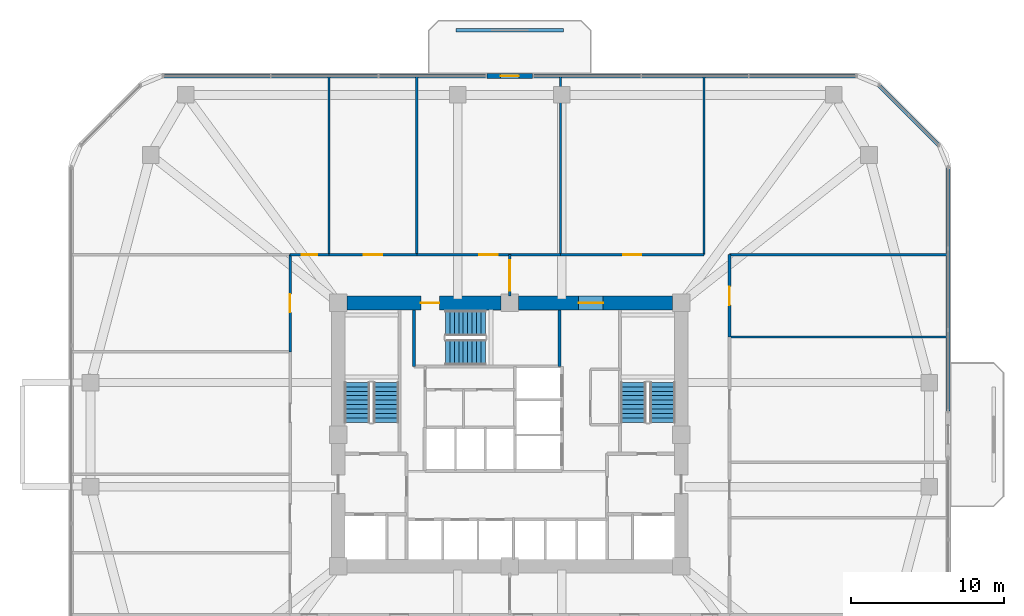
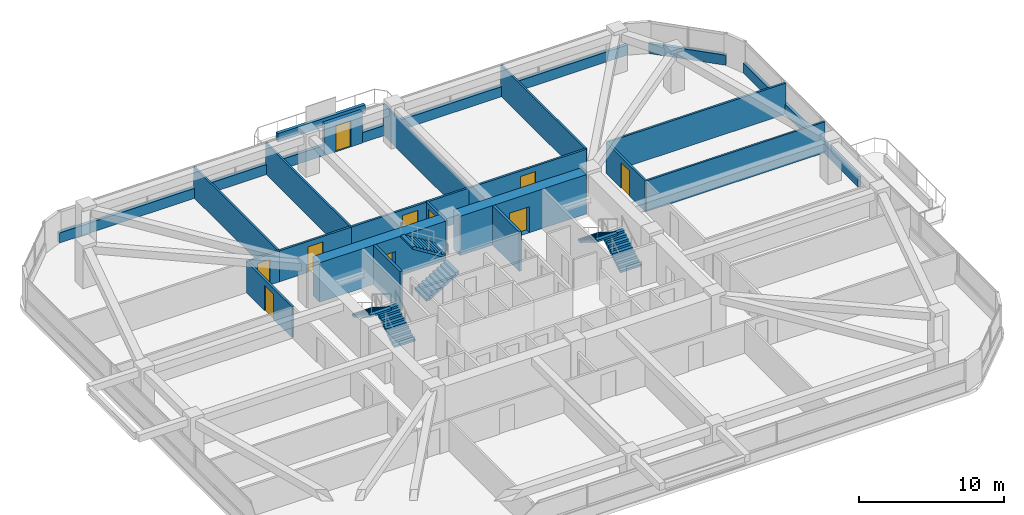
# One storey, part 11 of 13: 23 walls, 10 doors, 6 stair flights, 10 openings, 3 elements without a shape of their own.
"""IFC4 building model written with IfcOpenShell, lengths in metres."""

import ifcopenshell
import ifcopenshell.guid

model = None  # the IFC model being written
_history = None  # IfcOwnerHistory: only IFC2X3 demands one
_inside = {}  # id of a spatial element -> (the spatial element, [elements in it])
_under = {}  # id of a project, library or spatial element -> (it, [spatial elements below it])
_declared = {}  # id of a project -> (the project, [libraries it declares])
_typed = {}  # id of a type object -> (the type object, [elements of that type])
_made_of = {}  # id of a material, layer set ... -> (it, [elements and type objects made of it])


def new_model(schema):
    """Start an empty IFC model of exactly this schema.

    Asked for "IFC4X3", IfcOpenShell would pick the latest addendum, in which some entities
    have other attributes; the version numbers below select the first issue.
    IFC2X3 requires an IfcOwnerHistory on every rooted entity: one is made here for all.
    """
    global model, _history
    if schema == "IFC4X3":
        model = ifcopenshell.file(schema_version=(4, 3, 0, 0))
    else:
        model = ifcopenshell.file(schema=schema)
    _inside.clear()
    _under.clear()
    _declared.clear()
    _typed.clear()
    _made_of.clear()
    _history = None
    if model.schema == "IFC2X3":
        org = make("IfcOrganization", Name="unknown")
        user = make(
            "IfcPersonAndOrganization",
            ThePerson=make("IfcPerson", FamilyName="unknown"),
            TheOrganization=org,
        )
        app = make(
            "IfcApplication",
            ApplicationDeveloper=org,
            Version="unknown",
            ApplicationFullName="unknown",
            ApplicationIdentifier="unknown",
        )
        _history = make(
            "IfcOwnerHistory",
            OwningUser=user,
            OwningApplication=app,
            ChangeAction="ADDED",
            CreationDate=0,
        )
    return model


def make(cls, **values):
    """One entity of the class cls with the attributes given. An attribute that is None is left unset."""
    return model.create_entity(
        cls, **{name: value for name, value in values.items() if value is not None}
    )


def rooted(cls, **values):
    """An entity with a GlobalId (a new one), such as an element, a storey or a relation."""
    return make(cls, GlobalId=ifcopenshell.guid.new(), OwnerHistory=_history, **values)


def si_unit(unit_type, name, prefix=None):
    """IfcSIUnit, for example si_unit("LENGTHUNIT", "METRE", prefix="MILLI")."""
    return make("IfcSIUnit", UnitType=unit_type, Prefix=prefix, Name=name)


def derived_unit(unit_type, elements):
    """IfcDerivedUnit: a product of units, each with its exponent."""
    return make(
        "IfcDerivedUnit",
        Elements=[
            make("IfcDerivedUnitElement", Unit=unit, Exponent=power)
            for unit, power in elements
        ],
        UnitType=unit_type,
    )


def assignment(units):
    """IfcUnitAssignment: the units of a project."""
    return None if units is None else make("IfcUnitAssignment", Units=units)


def point(xyz):
    """IfcCartesianPoint."""
    return None if xyz is None else make("IfcCartesianPoint", Coordinates=xyz)


def direction(xyz):
    """IfcDirection."""
    return None if xyz is None else make("IfcDirection", DirectionRatios=xyz)


def frame(location, z_axis=None, x_axis=None):
    """IfcAxis2Placement3D, a coordinate frame: its origin and axes. An axis left out is left unset."""
    return make(
        "IfcAxis2Placement3D",
        Location=point(location),
        Axis=direction(z_axis),
        RefDirection=direction(x_axis),
    )


def frame_2d(location, x_axis=None):
    """IfcAxis2Placement2D, a coordinate frame in the plane: its origin and x axis."""
    return make(
        "IfcAxis2Placement2D", Location=point(location), RefDirection=direction(x_axis)
    )


def origin():
    """The frame at (0, 0, 0) with its axes left unset."""
    return frame((0.0, 0.0, 0.0))


def place(relative_to, where):
    """IfcLocalPlacement: puts the frame where relative to a parent placement (None: the world)."""
    return make(
        "IfcLocalPlacement", PlacementRelTo=relative_to, RelativePlacement=where
    )


def context(
    kind, dimensions, precision=None, world=None, true_north=None, identifier=None
):
    """IfcGeometricRepresentationContext, for example the 3D "Model" context."""
    return make(
        "IfcGeometricRepresentationContext",
        ContextIdentifier=identifier,
        ContextType=kind,
        CoordinateSpaceDimension=dimensions,
        Precision=precision,
        WorldCoordinateSystem=world,
        TrueNorth=true_north,
    )


def subcontext(parent, identifier, kind, view, scale=None):
    """IfcGeometricRepresentationSubContext, for example "Body" below "Model"."""
    return make(
        "IfcGeometricRepresentationSubContext",
        ContextIdentifier=identifier,
        ContextType=kind,
        ParentContext=parent,
        TargetScale=scale,
        TargetView=view,
    )


def project(units=None, contexts=None):
    """IfcProject with its units and contexts."""
    return rooted(
        "IfcProject",
        Name="project",
        RepresentationContexts=contexts,
        UnitsInContext=assignment(units),
    )


def spatial(cls, under=None, at=None, **own):
    """A site, building, storey or space (cls), placed at a placement, below another one or the project."""
    s = rooted(cls, ObjectPlacement=at, **own)
    if under is not None:
        _under.setdefault(under.id(), (under, []))[1].append(s)
    return s


def polyline(points):
    """IfcPolyline through the points."""
    return make("IfcPolyline", Points=[point(p) for p in points])


def profile(cls, at=None, kind="AREA", **sizes):
    """A parametric profile (cls). Its sizes go by their IFC names, for example OverallWidth=200.0."""
    return make(cls, ProfileType=kind, Position=at, **sizes)


def rectangle(**sizes):
    """IfcRectangleProfileDef."""
    return profile("IfcRectangleProfileDef", **sizes)


def outline(outer, holes=None, kind="AREA"):
    """IfcArbitraryClosedProfileDef: a profile drawn as a closed curve; with holes, ...WithVoids."""
    if holes is None:
        return make("IfcArbitraryClosedProfileDef", ProfileType=kind, OuterCurve=outer)
    return make(
        "IfcArbitraryProfileDefWithVoids",
        ProfileType=kind,
        OuterCurve=outer,
        InnerCurves=holes,
    )


def extrude(swept, where, along, depth):
    """IfcExtrudedAreaSolid: the profile swept, set in the frame where, extruded along a direction by depth."""
    return make(
        "IfcExtrudedAreaSolid",
        SweptArea=swept,
        Position=where,
        ExtrudedDirection=direction(along),
        Depth=depth,
    )


def shape(context_of_items, identifier, shape_type, items):
    """IfcShapeRepresentation: the items that make up one representation, for example the "Body"."""
    return make(
        "IfcShapeRepresentation",
        ContextOfItems=context_of_items,
        RepresentationIdentifier=identifier,
        RepresentationType=shape_type,
        Items=items,
    )


def material(Name=None, Category=None):
    """IfcMaterial."""
    return make("IfcMaterial", Name=Name, Category=Category)


def layer(
    of_material, thickness, ventilated=None, Name=None, Category=None, Priority=None
):
    """IfcMaterialLayer: one layer of a wall or slab, of a material (None: an air gap)."""
    return make(
        "IfcMaterialLayer",
        Material=of_material,
        LayerThickness=thickness,
        IsVentilated=ventilated,
        Name=Name,
        Category=Category,
        Priority=Priority,
    )


def layer_set(layers, Name=None):
    """IfcMaterialLayerSet."""
    return make("IfcMaterialLayerSet", MaterialLayers=layers, LayerSetName=Name)


def made_of(thing, what):
    """Note that an element or type object is made of a material, layer set ...; save() writes the relation."""
    if what is not None:
        _made_of.setdefault(what.id(), (what, []))[1].append(thing)
    return thing


def type_object(cls, material=None, **own):
    """A type object (cls), such as IfcWallType, which elements share."""
    return made_of(rooted(cls, **own), material)


def element(
    cls,
    number,
    at=None,
    inside=None,
    cuts=None,
    type_object=None,
    material=None,
    context=None,
    identifier="Body",
    shape_type=None,
    held_by="IfcProductDefinitionShape",
    body=None,
    shapes=None,
    **own,
):
    """One element of the class cls, such as IfcWall. Its Tag is "e" and its number.

    at: its placement. inside: the storey or other place that contains it. cuts: it is an
    opening in that element (IfcRelVoidsElement). A single representation is given by context,
    identifier, shape_type and body (its items); several are given by shapes. held_by: the class
    of the entity that holds the representations. save() writes the other relations.
    """
    e = rooted(cls, Tag="e%d" % number, ObjectPlacement=at, **own)
    if body is not None:
        shapes = [shape(context, identifier, shape_type, body)]
    if shapes is not None:
        e.Representation = make(held_by, Representations=shapes)
    if inside is not None:
        _inside.setdefault(inside.id(), (inside, []))[1].append(e)
    if cuts is not None:
        rooted(
            "IfcRelVoidsElement", RelatingBuildingElement=cuts, RelatedOpeningElement=e
        )
    if type_object is not None:
        _typed.setdefault(type_object.id(), (type_object, []))[1].append(e)
    return made_of(e, material)


def fill(opening, filler):
    """IfcRelFillsElement: the door or window that sits in an opening."""
    return rooted(
        "IfcRelFillsElement",
        RelatingOpeningElement=opening,
        RelatedBuildingElement=filler,
    )


def aggregate(whole, parts):
    """IfcRelAggregates: a whole, such as a stair, and the parts it consists of."""
    return rooted("IfcRelAggregates", RelatingObject=whole, RelatedObjects=parts)


def save(model, path):
    """Write the relations noted so far, then the file.

    IfcRelAggregates (storeys below a building ...), IfcRelContainedInSpatialStructure (elements
    in a storey), IfcRelDefinesByType, IfcRelAssociatesMaterial and IfcRelDeclares: one each for
    every whole, place, type object, material and project.
    """
    for whole, parts in _under.values():
        aggregate(whole, parts)
    for where, things in _inside.values():
        rooted(
            "IfcRelContainedInSpatialStructure",
            RelatedElements=things,
            RelatingStructure=where,
        )
    for kind, things in _typed.values():
        rooted("IfcRelDefinesByType", RelatedObjects=things, RelatingType=kind)
    for what, things in _made_of.values():
        rooted("IfcRelAssociatesMaterial", RelatedObjects=things, RelatingMaterial=what)
    for by, libraries in _declared.values():
        rooted("IfcRelDeclares", RelatingContext=by, RelatedDefinitions=libraries)
    model.write(path)


model = new_model("IFC4")

# Units and contexts
model_context = context("Model", 3, precision=1e-05, world=origin(), true_north=direction((0.0, 1.0)))
body_context = subcontext(model_context, "Body", "Model", "MODEL_VIEW")
ifc_project = project(units=[si_unit("LENGTHUNIT", "METRE"), si_unit("AREAUNIT", "SQUARE_METRE"), si_unit("VOLUMEUNIT", "CUBIC_METRE"), si_unit("PLANEANGLEUNIT", "RADIAN"), si_unit("MASSUNIT", "GRAM", prefix="KILO"), derived_unit("THERMALTRANSMITTANCEUNIT", [(si_unit("POWERUNIT", "WATT"), 1), (si_unit("LENGTHUNIT", "METRE"), -2), (si_unit("THERMODYNAMICTEMPERATUREUNIT", "KELVIN"), -1)])], contexts=[model_context])

# Site, building, storey
site_placement = place(None, origin())
site = spatial("IfcSite", under=ifc_project, at=site_placement, CompositionType="ELEMENT")
building_placement = place(site_placement, origin())
building = spatial("IfcBuilding", under=site, at=building_placement, Name="Koralith Skygarden Medical Center", CompositionType="ELEMENT")
storey_placement = place(building_placement, frame((0.0, 0.0, 59.93994140625)))
storey = spatial("IfcBuildingStorey", under=building, at=storey_placement, Name="L15", CompositionType="ELEMENT", Elevation=59.93994140625)

# Walls
ifc_material_1 = material(Name="Gypsum Board Partition")
ifc_layer_1 = layer(ifc_material_1, 0.14990234375)
ifc_layer_set_1 = layer_set([ifc_layer_1], Name="Gypsum Board Partition")
wall_type_1 = type_object("IfcWallType", Name="Clinical Acoustic Partition 150", PredefinedType="PARTITIONING", material=ifc_layer_set_1)
for number, where, z_axis, x_axis, name in (
    (1, (25.199951171875, 37.64990234375, 0.0), (0.0, 0.0, 1.0), (0.0, 1.0, 0.0), "L15 Clinical Acoustic Partition 150 W-PART-L15-N-01"),
    (2, (30.931884765625, 37.64990234375, 0.0), (0.0, 0.0, 1.0), (0.0, 1.0, 0.0), "L15 Clinical Acoustic Partition 150 W-PART-L15-N-02"),
    (3, (40.31005859375, 37.64990234375, 0.0), (0.0, 0.0, 1.0), (0.0, 1.0, 0.0), "L15 Clinical Acoustic Partition 150 W-PART-L15-N-03"),
    (4, (49.68701171875, 37.64990234375, 0.0), (0.0, 0.0, 1.0), (0.0, 1.0, 0.0), "L15 Clinical Acoustic Partition 150 W-PART-L15-N-04"),
):
    element("IfcWall", number, at=place(storey_placement, frame(where, z_axis=z_axis, x_axis=x_axis)), inside=storey, type_object=wall_type_1, Name=name, PredefinedType="PARTITIONING", context=body_context, shape_type="SweptSolid", body=[
        extrude(rectangle(XDim=11.650146484375, YDim=0.14990234375, at=frame_2d((5.8251953125, 0.0))), origin(), (0.0, 0.0, 1.0), 2.610107421875),
    ])
wall_1_placement = place(storey_placement, frame((51.35009765625, 32.27294921875, 0.0), z_axis=(0.0, 0.0, 1.0), x_axis=(1.0, 0.0, 0.0)))
element("IfcWall", 5, at=wall_1_placement, inside=storey, type_object=wall_type_1, Name="L15 Clinical Acoustic Partition 150 W-PART-L15-E-03", PredefinedType="PARTITIONING", context=body_context, shape_type="SweptSolid", body=[
    extrude(rectangle(XDim=14.25, YDim=0.14990234375, at=frame_2d((7.125, 0.0))), origin(), (0.0, 0.0, 1.0), 2.610107421875),
])
ifc_layer_2 = layer(ifc_material_1, 0.1650390625)
ifc_layer_set_2 = layer_set([ifc_layer_2], Name="Gypsum Board Partition")
wall_type_2 = type_object("IfcWallType", Name="Clinical Corridor Partition 165", PredefinedType="PARTITIONING", material=ifc_layer_set_2)
wall_2_placement = place(storey_placement, frame((51.35009765625, 37.64990234375, 0.0), z_axis=(0.0, 0.0, 1.0), x_axis=(1.0, 0.0, 0.0)))
element("IfcWall", 6, at=wall_2_placement, inside=storey, type_object=wall_type_2, Name="L15 Clinical Corridor Partition 165 W-WB-L15-NE", PredefinedType="PARTITIONING", context=body_context, shape_type="SweptSolid", body=[
    extrude(rectangle(XDim=14.25, YDim=0.1650390625, at=frame_2d((7.125, 0.0))), origin(), (0.0, 0.0, 1.0), 2.610107421875),
])

# Wall, opening, door
wall_3_placement = place(storey_placement, frame((22.64990234375, 37.64990234375, 0.0), z_axis=(0.0, 0.0, 1.0), x_axis=(1.0, 0.0, 0.0)))
wall_3 = element("IfcWall", 7, at=wall_3_placement, inside=storey, type_object=wall_type_2, Name="L15 Clinical Corridor Partition 165 W-CORR-L15-N-01", PredefinedType="PARTITIONING", context=body_context, shape_type="SweptSolid", body=[
    extrude(rectangle(XDim=2.550048828125, YDim=0.1650390625, at=frame_2d((1.27490234375, 0.0))), origin(), (0.0, 0.0, 1.0), 2.610107421875),
])
opening_1_placement = place(wall_3_placement, frame((0.77490234375, 0.0, 0.0)))
opening_1 = element("IfcOpeningElement", 8, at=opening_1_placement, cuts=wall_3, Name="Opening D-SUP", PredefinedType="OPENING", context=body_context, shape_type="SweptSolid", body=[
    extrude(rectangle(XDim=1.0, YDim=2.14990234375, at=frame_2d((0.5, 1.074951171875))), frame((0.0, 0.092529296875, 0.0), z_axis=(0.0, -1.0, 0.0), x_axis=(1.0, 0.0, 0.0)), (0.0, 0.0, 1.0), 0.18505859375),
])
ifc_material_2 = material(Name="Aluminium 6063-T6", Category="aluminium")
door_type_1 = type_object("IfcDoorType", Name="Clinical Support Door D-SUP 1000", OperationType="NOTDEFINED", PredefinedType="DOOR", material=ifc_material_2)
door_1_placement = place(opening_1_placement, origin())
door_1 = element("IfcDoor", 9, at=door_1_placement, inside=storey, type_object=door_type_1, Name="L15 Multidisciplinary Clinical Conference Room 01 Door", OperationType="SINGLE_SWING_RIGHT", OverallHeight=2.14990234375, OverallWidth=1.0, PredefinedType="DOOR", context=body_context, shape_type="SweptSolid", body=[
    extrude(rectangle(XDim=1.0, YDim=2.14990234375, at=frame_2d((0.5, 1.074951171875))), frame((0.0, 0.02490234375, 0.0), z_axis=(0.0, -1.0, 0.0), x_axis=(1.0, 0.0, 0.0)), (0.0, 0.0, 1.0), 0.050048828125),
])
fill(opening_1, door_1)

wall_4_placement = place(storey_placement, frame((25.199951171875, 37.64990234375, 0.0), z_axis=(0.0, 0.0, 1.0), x_axis=(1.0, 0.0, 0.0)))
wall_4 = element("IfcWall", 10, at=wall_4_placement, inside=storey, type_object=wall_type_2, Name="L15 Clinical Corridor Partition 165 W-CORR-L15-N-02", PredefinedType="PARTITIONING", context=body_context, shape_type="SweptSolid", body=[
    extrude(rectangle(XDim=5.73193359375, YDim=0.1650390625, at=frame_2d((2.865966796875, 0.0))), origin(), (0.0, 0.0, 1.0), 2.610107421875),
])
opening_2_placement = place(wall_4_placement, frame((2.26611328125, 0.0, 0.0)))
opening_2 = element("IfcOpeningElement", 11, at=opening_2_placement, cuts=wall_4, Name="Opening D-CLN", PredefinedType="OPENING", context=body_context, shape_type="SweptSolid", body=[
    extrude(rectangle(XDim=1.199951171875, YDim=2.14990234375, at=frame_2d((0.60009765625, 1.074951171875))), frame((0.0, 0.092529296875, 0.0), z_axis=(0.0, -1.0, 0.0), x_axis=(1.0, 0.0, 0.0)), (0.0, 0.0, 1.0), 0.18505859375),
])
door_type_2 = type_object("IfcDoorType", Name="Clinical Corridor Door D-CLN 1200", OperationType="NOTDEFINED", PredefinedType="DOOR", material=ifc_material_2)
door_2_placement = place(opening_2_placement, origin())
door_2 = element("IfcDoor", 12, at=door_2_placement, inside=storey, type_object=door_type_2, Name="L15 Phlebotomy Blood Draw Room 02 Door", OperationType="SINGLE_SWING_LEFT", OverallHeight=2.14990234375, OverallWidth=1.199951171875, PredefinedType="DOOR", context=body_context, shape_type="SweptSolid", body=[
    extrude(rectangle(XDim=1.199951171875, YDim=2.14990234375, at=frame_2d((0.60009765625, 1.074951171875))), frame((0.0, 0.02490234375, 0.0), z_axis=(0.0, -1.0, 0.0), x_axis=(1.0, 0.0, 0.0)), (0.0, 0.0, 1.0), 0.050048828125),
])
fill(opening_2, door_2)

wall_5_placement = place(storey_placement, frame((30.931884765625, 37.64990234375, 0.0), z_axis=(0.0, 0.0, 1.0), x_axis=(1.0, 0.0, 0.0)))
wall_5 = element("IfcWall", 13, at=wall_5_placement, inside=storey, type_object=wall_type_2, Name="L15 Clinical Corridor Partition 165 W-CORR-L15-N-03", PredefinedType="PARTITIONING", context=body_context, shape_type="SweptSolid", body=[
    extrude(rectangle(XDim=9.378173828125, YDim=0.1650390625, at=frame_2d((4.68896484375, 0.0))), origin(), (0.0, 0.0, 1.0), 2.610107421875),
])
opening_3_placement = place(wall_5_placement, frame((4.089111328125, 0.0, 0.0)))
opening_3 = element("IfcOpeningElement", 14, at=opening_3_placement, cuts=wall_5, Name="Opening D-CLN", PredefinedType="OPENING", context=body_context, shape_type="SweptSolid", body=[
    extrude(rectangle(XDim=1.199951171875, YDim=2.14990234375, at=frame_2d((0.60009765625, 1.074951171875))), frame((0.0, 0.092529296875, 0.0), z_axis=(0.0, -1.0, 0.0), x_axis=(1.0, 0.0, 0.0)), (0.0, 0.0, 1.0), 0.18505859375),
])
door_3_placement = place(opening_3_placement, origin())
door_3 = element("IfcDoor", 15, at=door_3_placement, inside=storey, type_object=door_type_2, Name="L15 Patient and Family Sky-Garden Day Lounge 03 Door", OperationType="SINGLE_SWING_RIGHT", OverallHeight=2.14990234375, OverallWidth=1.199951171875, PredefinedType="DOOR", context=body_context, shape_type="SweptSolid", body=[
    extrude(rectangle(XDim=1.199951171875, YDim=2.14990234375, at=frame_2d((0.60009765625, 1.074951171875))), frame((0.0, 0.02490234375, 0.0), z_axis=(0.0, -1.0, 0.0), x_axis=(1.0, 0.0, 0.0)), (0.0, 0.0, 1.0), 0.050048828125),
])
fill(opening_3, door_3)

wall_6_placement = place(storey_placement, frame((40.31005859375, 37.64990234375, 0.0), z_axis=(0.0, 0.0, 1.0), x_axis=(1.0, 0.0, 0.0)))
wall_6 = element("IfcWall", 16, at=wall_6_placement, inside=storey, type_object=wall_type_2, Name="L15 Clinical Corridor Partition 165 W-CORR-L15-N-04", PredefinedType="PARTITIONING", context=body_context, shape_type="SweptSolid", body=[
    extrude(rectangle(XDim=9.376953125, YDim=0.1650390625, at=frame_2d((4.6884765625, 0.0))), origin(), (0.0, 0.0, 1.0), 2.610107421875),
])
opening_4_placement = place(wall_6_placement, frame((4.087890625, 0.0, 0.0)))
opening_4 = element("IfcOpeningElement", 17, at=opening_4_placement, cuts=wall_6, Name="Opening D-CLN", PredefinedType="OPENING", context=body_context, shape_type="SweptSolid", body=[
    extrude(rectangle(XDim=1.199951171875, YDim=2.14990234375, at=frame_2d((0.60009765625, 1.074951171875))), frame((0.0, 0.092529296875, 0.0), z_axis=(0.0, -1.0, 0.0), x_axis=(1.0, 0.0, 0.0)), (0.0, 0.0, 1.0), 0.18505859375),
])
door_4_placement = place(opening_4_placement, origin())
door_4 = element("IfcDoor", 18, at=door_4_placement, inside=storey, type_object=door_type_2, Name="L15 Chemotherapy Prep Store 04 Door", OperationType="SINGLE_SWING_LEFT", OverallHeight=2.14990234375, OverallWidth=1.199951171875, PredefinedType="DOOR", context=body_context, shape_type="SweptSolid", body=[
    extrude(rectangle(XDim=1.199951171875, YDim=2.14990234375, at=frame_2d((0.60009765625, 1.074951171875))), frame((0.0, 0.02490234375, 0.0), z_axis=(0.0, -1.0, 0.0), x_axis=(1.0, 0.0, 0.0)), (0.0, 0.0, 1.0), 0.050048828125),
])
fill(opening_4, door_4)

wall_7_placement = place(storey_placement, frame((22.64990234375, 31.304931640625, 0.0), z_axis=(0.0, 0.0, 1.0), x_axis=(0.0, 1.0, 0.0)))
wall_7 = element("IfcWall", 19, at=wall_7_placement, inside=storey, type_object=wall_type_2, Name="L15 Clinical Corridor Partition 165 W-CORR-L15-W-04", PredefinedType="PARTITIONING", context=body_context, shape_type="SweptSolid", body=[
    extrude(rectangle(XDim=6.344970703125, YDim=0.1650390625, at=frame_2d((3.17236328125, 0.0))), origin(), (0.0, 0.0, 1.0), 2.610107421875),
])
opening_5_placement = place(wall_7_placement, frame((2.572021484375, 0.0, 0.0)))
opening_5 = element("IfcOpeningElement", 20, at=opening_5_placement, cuts=wall_7, Name="Opening D-CLN", PredefinedType="OPENING", context=body_context, shape_type="SweptSolid", body=[
    extrude(rectangle(XDim=1.199951171875, YDim=2.14990234375, at=frame_2d((0.60009765625, 1.074951171875))), frame((0.0, 0.092529296875, 0.0), z_axis=(0.0, -1.0, 0.0), x_axis=(1.0, 0.0, 0.0)), (0.0, 0.0, 1.0), 0.18505859375),
])
door_5_placement = place(opening_5_placement, frame((1.199951171875, 0.0, 0.0), z_axis=(0.0, 0.0, 1.0), x_axis=(-1.0, 0.0, 0.0)))
door_5 = element("IfcDoor", 21, at=door_5_placement, inside=storey, type_object=door_type_2, Name="L15 Patient Recovery Sitting Lounge 13 Door", OperationType="SINGLE_SWING_RIGHT", OverallHeight=2.14990234375, OverallWidth=1.199951171875, PredefinedType="DOOR", context=body_context, shape_type="SweptSolid", body=[
    extrude(rectangle(XDim=1.199951171875, YDim=2.14990234375, at=frame_2d((0.60009765625, 1.074951171875))), frame((0.0, 0.02490234375, 0.0), z_axis=(0.0, -1.0, 0.0), x_axis=(1.0, 0.0, 0.0)), (0.0, 0.0, 1.0), 0.050048828125),
])
fill(opening_5, door_5)

wall_8_placement = place(storey_placement, frame((51.35009765625, 32.27294921875, 0.0), z_axis=(0.0, 0.0, 1.0), x_axis=(0.0, 1.0, 0.0)))
wall_8 = element("IfcWall", 22, at=wall_8_placement, inside=storey, type_object=wall_type_2, Name="L15 Clinical Corridor Partition 165 W-CORR-L15-E-04", PredefinedType="PARTITIONING", context=body_context, shape_type="SweptSolid", body=[
    extrude(rectangle(XDim=5.376953125, YDim=0.1650390625, at=frame_2d((2.6884765625, 0.0))), origin(), (0.0, 0.0, 1.0), 2.610107421875),
])
opening_6_placement = place(wall_8_placement, frame((2.087890625, 0.0, 0.0)))
opening_6 = element("IfcOpeningElement", 23, at=opening_6_placement, cuts=wall_8, Name="Opening D-CLN", PredefinedType="OPENING", context=body_context, shape_type="SweptSolid", body=[
    extrude(rectangle(XDim=1.199951171875, YDim=2.14990234375, at=frame_2d((0.60009765625, 1.074951171875))), frame((0.0, 0.092529296875, 0.0), z_axis=(0.0, -1.0, 0.0), x_axis=(1.0, 0.0, 0.0)), (0.0, 0.0, 1.0), 0.18505859375),
])
door_6_placement = place(opening_6_placement, origin())
door_6 = element("IfcDoor", 24, at=door_6_placement, inside=storey, type_object=door_type_2, Name="L15 Chemotherapy Prep Store 17 Door", OperationType="SINGLE_SWING_RIGHT", OverallHeight=2.14990234375, OverallWidth=1.199951171875, PredefinedType="DOOR", context=body_context, shape_type="SweptSolid", body=[
    extrude(rectangle(XDim=1.199951171875, YDim=2.14990234375, at=frame_2d((0.60009765625, 1.074951171875))), frame((0.0, 0.02490234375, 0.0), z_axis=(0.0, -1.0, 0.0), x_axis=(1.0, 0.0, 0.0)), (0.0, 0.0, 1.0), 0.050048828125),
])
fill(opening_6, door_6)

ifc_layer_3 = layer(ifc_material_1, 0.179931640625)
ifc_layer_set_3 = layer_set([ifc_layer_3], Name="Gypsum Board Partition")
wall_type_3 = type_object("IfcWallType", Name="Group I-2 Smoke Barrier Wall 180", PredefinedType="PARTITIONING", material=ifc_layer_set_3)
wall_9_placement = place(storey_placement, frame((37.0, 34.949951171875, 0.0), z_axis=(0.0, 0.0, 1.0), x_axis=(0.0, 1.0, 0.0)))
wall_9 = element("IfcWall", 25, at=wall_9_placement, inside=storey, type_object=wall_type_3, Name="L15 Group I-2 Smoke Barrier Wall 180 W-SMK-L15-N", PredefinedType="PARTITIONING", context=body_context, shape_type="SweptSolid", body=[
    extrude(rectangle(XDim=2.699951171875, YDim=0.179931640625, at=frame_2d((1.35009765625, 0.0))), origin(), (0.0, 0.0, 1.0), 2.610107421875),
])
opening_7_placement = place(wall_9_placement, frame((0.35009765625, 0.0, 0.0)))
opening_7 = element("IfcOpeningElement", 26, at=opening_7_placement, cuts=wall_9, Name="Opening D-SMK", PredefinedType="OPENING", context=body_context, shape_type="SweptSolid", body=[
    extrude(rectangle(XDim=2.0, YDim=2.199951171875, at=frame_2d((1.0, 1.10009765625))), frame((0.0, 0.099853515625, 0.0), z_axis=(0.0, -1.0, 0.0), x_axis=(1.0, 0.0, 0.0)), (0.0, 0.0, 1.0), 0.199951171875),
])
ifc_material_3 = material(Name="Steel ASTM A500 Grade C", Category="steel")
door_type_3 = type_object("IfcDoorType", Name="Cross-Corridor Double Smoke Door FD60S 2000", OperationType="NOTDEFINED", PredefinedType="DOOR", material=ifc_material_3)
door_7_placement = place(opening_7_placement, origin())
door_7 = element("IfcDoor", 27, at=door_7_placement, inside=storey, type_object=door_type_3, Name="L15 N Smoke Compartment Cross-Corridor Door", OperationType="DOUBLE_DOOR_SINGLE_SWING", OverallHeight=2.199951171875, OverallWidth=2.0, PredefinedType="DOOR", context=body_context, shape_type="SweptSolid", body=[
    extrude(rectangle(XDim=2.0, YDim=2.199951171875, at=frame_2d((1.0, 1.10009765625))), frame((0.0, 0.02490234375, 0.0), z_axis=(0.0, -1.0, 0.0), x_axis=(1.0, 0.0, 0.0)), (0.0, 0.0, 1.0), 0.050048828125),
])
fill(opening_7, door_7)

# Walls
ifc_material_4 = material(Name="Warm Oolitic Limestone Cladding", Category="masonry")
ifc_layer_4 = layer(ifc_material_4, 0.239990234375)
ifc_layer_set_4 = layer_set([ifc_layer_4], Name="Warm Oolitic Limestone Cladding")
wall_type_4 = type_object("IfcWallType", Name="Limestone Spandrel Sill Backup Wall 240", PredefinedType="SOLIDWALL", material=ifc_layer_set_4)
wall_10_placement = place(storey_placement, frame((65.6201171875, 27.43994140625, 0.0), z_axis=(0.0, 0.0, 1.0), x_axis=(0.0, 1.0, 0.0)))
element("IfcWall", 28, at=wall_10_placement, inside=storey, type_object=wall_type_4, Name="L15 Sill Spandrel E-R", PredefinedType="SOLIDWALL", context=body_context, shape_type="SweptSolid", body=[
    extrude(rectangle(XDim=15.905029296875, YDim=0.239990234375, at=frame_2d((7.95263671875, 0.0))), origin(), (0.0, 0.0, 1.0), 0.85009765625),
])
wall_11_placement = place(storey_placement, frame((65.01904296875, 44.7958984375, 0.0), z_axis=(0.0, 0.0, 1.0), x_axis=(-0.707106781187, 0.707106781187, 0.0)))
element("IfcWall", 29, at=wall_11_placement, inside=storey, type_object=wall_type_4, Name="L15 Sill Spandrel NE", PredefinedType="SOLIDWALL", context=body_context, shape_type="SweptSolid", body=[
    extrude(rectangle(XDim=5.548095703125, YDim=0.239990234375, at=frame_2d((2.77392578125, 0.0))), origin(), (0.0, 0.0, 1.0), 0.85009765625),
])
for number, where, z_axis, x_axis, name in (
    (30, (59.64501953125, 49.320068359375, 0.0), (0.0, 0.0, 1.0), (-1.0, 0.0, 0.0), "L15 Sill Spandrel N-L"),
    (31, (35.4599609375, 49.320068359375, 0.0), (0.0, 0.0, 1.0), (-1.0, 0.0, 0.0), "L15 Sill Spandrel N-R"),
):
    element("IfcWall", number, at=place(storey_placement, frame(where, z_axis=z_axis, x_axis=x_axis)), inside=storey, type_object=wall_type_4, Name=name, PredefinedType="SOLIDWALL", context=body_context, shape_type="SweptSolid", body=[
        extrude(rectangle(XDim=21.10498046875, YDim=0.239990234375, at=frame_2d((10.552490234375, 0.0))), origin(), (0.0, 0.0, 1.0), 0.85009765625),
    ])

# Wall, opening, door
ifc_material_5 = material(Name="Concrete C70/85", Category="concrete")
ifc_layer_5 = layer(ifc_material_5, 0.89990234375)
ifc_layer_set_5 = layer_set([ifc_layer_5], Name="Concrete C70/85")
wall_type_5 = type_object("IfcWallType", Name="Lower Core Shear Wall 900", PredefinedType="SHEAR", material=ifc_layer_set_5)
wall_12_placement = place(storey_placement, frame((47.635009765625, 34.5, 0.0), z_axis=(0.0, 0.0, 1.0), x_axis=(-1.0, 0.0, 0.0)))
wall_12 = element("IfcWall", 32, at=wall_12_placement, inside=storey, type_object=wall_type_5, Name="L15 Core Shear Wall Segment 5", PredefinedType="SHEAR", context=body_context, shape_type="SweptSolid", body=[
    extrude(rectangle(XDim=10.070068359375, YDim=0.89990234375, at=frame_2d((5.03515625, 0.0))), origin(), (0.0, 0.0, 1.0), 3.320068359375),
])
opening_8_placement = place(wall_12_placement, frame((4.534912109375, 0.0, 0.0)))
opening_8 = element("IfcOpeningElement", 33, at=opening_8_placement, cuts=wall_12, Name="Opening D-DBL", PredefinedType="OPENING", context=body_context, shape_type="SweptSolid", body=[
    extrude(rectangle(XDim=1.60009765625, YDim=2.199951171875, at=frame_2d((0.800048828125, 1.10009765625))), frame((0.0, 0.4599609375, 0.0), z_axis=(0.0, -1.0, 0.0), x_axis=(1.0, 0.0, 0.0)), (0.0, 0.0, 1.0), 0.919921875),
])
door_type_4 = type_object("IfcDoorType", Name="Double Clinical Suite Door D-DBL 1600", OperationType="NOTDEFINED", PredefinedType="DOOR", material=ifc_material_2)
door_8_placement = place(opening_8_placement, frame((1.60009765625, 0.0, 0.0), z_axis=(0.0, 0.0, 1.0), x_axis=(-1.0, 0.0, 0.0)))
door_8 = element("IfcDoor", 34, at=door_8_placement, inside=storey, type_object=door_type_4, Name="L15 North-East Corridor to Elevator Lobby Door", OperationType="DOUBLE_DOOR_SINGLE_SWING", OverallHeight=2.199951171875, OverallWidth=1.60009765625, PredefinedType="DOOR", context=body_context, shape_type="SweptSolid", body=[
    extrude(rectangle(XDim=1.60009765625, YDim=2.199951171875, at=frame_2d((0.800048828125, 1.10009765625))), frame((0.0, 0.02490234375, 0.0), z_axis=(0.0, -1.0, 0.0), x_axis=(1.0, 0.0, 0.0)), (0.0, 0.0, 1.0), 0.050048828125),
])
fill(opening_8, door_8)

wall_13_placement = place(storey_placement, frame((36.43505859375, 34.5, 0.0), z_axis=(0.0, 0.0, 1.0), x_axis=(-1.0, 0.0, 0.0)))
wall_13 = element("IfcWall", 35, at=wall_13_placement, inside=storey, type_object=wall_type_5, Name="L15 Core Shear Wall Segment 6", PredefinedType="SHEAR", context=body_context, shape_type="SweptSolid", body=[
    extrude(rectangle(XDim=10.070068359375, YDim=0.89990234375, at=frame_2d((5.03515625, 0.0))), origin(), (0.0, 0.0, 1.0), 3.320068359375),
])
opening_9_placement = place(wall_13_placement, frame((4.034912109375, 0.0, 0.0)))
opening_9 = element("IfcOpeningElement", 36, at=opening_9_placement, cuts=wall_13, Name="Opening D-ST60", PredefinedType="OPENING", context=body_context, shape_type="SweptSolid", body=[
    extrude(rectangle(XDim=1.199951171875, YDim=2.14990234375, at=frame_2d((0.60009765625, 1.074951171875))), frame((0.0, 0.4599609375, 0.0), z_axis=(0.0, -1.0, 0.0), x_axis=(1.0, 0.0, 0.0)), (0.0, 0.0, 1.0), 0.919921875),
])
door_type_5 = type_object("IfcDoorType", Name="Smokeproof Stair Fire Door FD60S 1200", OperationType="NOTDEFINED", PredefinedType="DOOR", material=ifc_material_3)
door_9_placement = place(opening_9_placement, frame((1.199951171875, 0.0, 0.0), z_axis=(0.0, 0.0, 1.0), x_axis=(-1.0, 0.0, 0.0)))
door_9 = element("IfcDoor", 37, at=door_9_placement, inside=storey, type_object=door_type_5, Name="L15 Exit Stair ST3 Fire Door", OperationType="SINGLE_SWING_LEFT", OverallHeight=2.14990234375, OverallWidth=1.199951171875, PredefinedType="DOOR", context=body_context, shape_type="SweptSolid", body=[
    extrude(rectangle(XDim=1.199951171875, YDim=2.14990234375, at=frame_2d((0.60009765625, 1.074951171875))), frame((0.0, 0.02490234375, 0.0), z_axis=(0.0, -1.0, 0.0), x_axis=(1.0, 0.0, 0.0)), (0.0, 0.0, 1.0), 0.050048828125),
])
fill(opening_9, door_9)

ifc_layer_6 = layer(ifc_material_4, 0.300048828125)
ifc_layer_set_6 = layer_set([ifc_layer_6], Name="Warm Oolitic Limestone Cladding")
wall_type_6 = type_object("IfcWallType", Name="Oolitic Limestone Insulated Facade Wall 300", PredefinedType="SOLIDWALL", material=ifc_layer_set_6)
wall_14_placement = place(storey_placement, frame((38.5, 49.320068359375, 0.0), z_axis=(0.0, 0.0, 1.0), x_axis=(-1.0, 0.0, 0.0)))
wall_14 = element("IfcWall", 38, at=wall_14_placement, inside=storey, type_object=wall_type_6, Name="L15 Terrace Portal Wall N", PredefinedType="SOLIDWALL", context=body_context, shape_type="SweptSolid", body=[
    extrude(rectangle(XDim=3.0, YDim=0.300048828125, at=frame_2d((1.5, 0.0))), origin(), (0.0, 0.0, 1.0), 2.650146484375),
])
opening_10_placement = place(wall_14_placement, frame((0.89990234375, 0.0, 0.0)))
opening_10 = element("IfcOpeningElement", 39, at=opening_10_placement, cuts=wall_14, Name="Opening D-BAL", PredefinedType="OPENING", context=body_context, shape_type="SweptSolid", body=[
    extrude(rectangle(XDim=1.199951171875, YDim=2.199951171875, at=frame_2d((0.60009765625, 1.10009765625))), frame((0.0, 0.159912109375, 0.0), z_axis=(0.0, -1.0, 0.0), x_axis=(1.0, 0.0, 0.0)), (0.0, 0.0, 1.0), 0.320068359375),
])
door_type_6 = type_object("IfcDoorType", Name="Planted Balcony Glazed Terrace Door D-BAL 1200", OperationType="NOTDEFINED", PredefinedType="DOOR", material=ifc_material_2)
door_10_placement = place(opening_10_placement, origin())
door_10 = element("IfcDoor", 40, at=door_10_placement, inside=storey, type_object=door_type_6, Name="L15 N Outdoor Terrace Access Door", OperationType="SINGLE_SWING_RIGHT", OverallHeight=2.199951171875, OverallWidth=1.199951171875, PredefinedType="DOOR", context=body_context, shape_type="SweptSolid", body=[
    extrude(rectangle(XDim=1.199951171875, YDim=2.199951171875, at=frame_2d((0.60009765625, 1.10009765625))), frame((0.0, 0.02490234375, 0.0), z_axis=(0.0, -1.0, 0.0), x_axis=(1.0, 0.0, 0.0)), (0.0, 0.0, 1.0), 0.050048828125),
])
fill(opening_10, door_10)

# Walls
ifc_material_6 = material(Name="Precast concrete C40/50", Category="concrete")
ifc_layer_7 = layer(ifc_material_6, 0.25)
ifc_layer_set_7 = layer_set([ifc_layer_7], Name="Precast concrete C40/50")
wall_type_7 = type_object("IfcWallType", Name="Structural Concrete Balcony Planter Kerb 250", PredefinedType="PARAPET", material=ifc_layer_set_7)
wall_15_placement = place(storey_placement, frame((33.5, 52.300048828125, 0.0), z_axis=(0.0, 0.0, 1.0), x_axis=(1.0, 0.0, 0.0)))
element("IfcWall", 41, at=wall_15_placement, inside=storey, type_object=wall_type_7, Name="L15 N Structural Tree PLANTER Box", PredefinedType="PARAPET", context=body_context, shape_type="SweptSolid", body=[
    extrude(rectangle(XDim=7.0, YDim=0.25, at=frame_2d((3.5, 0.0))), origin(), (0.0, 0.0, 1.0), 0.719970703125),
])
ifc_material_7 = material(Name="Concrete C45/55", Category="concrete")
ifc_layer_8 = layer(ifc_material_7, 0.199951171875)
ifc_layer_set_8 = layer_set([ifc_layer_8], Name="Concrete C45/55")
wall_type_8 = type_object("IfcWallType", Name="Structural Stair Shaft Wall 200", PredefinedType="SHEAR", material=ifc_layer_set_8)
for number, where, z_axis, x_axis, name in (
    (42, (30.75, 30.360107421875, 0.0), (0.0, 0.0, 1.0), (0.0, 1.0, 0.0), "L15 Structural Stair Shaft Wall 200 W-CORE-L15-ST3-W"),
    (43, (40.25, 30.360107421875, 0.0), (0.0, 0.0, 1.0), (0.0, 1.0, 0.0), "L15 Structural Stair Shaft Wall 200 W-CORE-L15-ST3-E"),
):
    element("IfcWall", number, at=place(storey_placement, frame(where, z_axis=z_axis, x_axis=x_axis)), inside=storey, type_object=wall_type_8, Name=name, PredefinedType="SHEAR", context=body_context, shape_type="SweptSolid", body=[
        extrude(rectangle(XDim=3.68994140625, YDim=0.199951171875, at=frame_2d((1.844970703125, 0.0))), origin(), (0.0, 0.0, 1.0), 3.320068359375),
    ])

# Stair, stair flights
stair_type = type_object("IfcStairType", Name="Core Exit Dogleg Concrete Stair", PredefinedType="HALF_TURN_STAIR", material=ifc_material_7)
stair_1_placement = place(storey_placement, origin())
stair_1 = element("IfcStair", 44, at=stair_1_placement, inside=storey, type_object=stair_type, Name="L15 Smokeproof Exit Stair ST1", PredefinedType="HALF_TURN_STAIR")
stair_flight_type = type_object("IfcStairFlightType", Name="Core Exit Concrete Stair Flight 1650", PredefinedType="STRAIGHT", material=ifc_material_7)
stair_flight_1_placement = place(storey_placement, frame((28.925048828125, 26.699951171875, 0.0), z_axis=(0.0, 0.0, 1.0), x_axis=(0.0, 1.0, 0.0)))
stair_flight_1 = element("IfcStairFlight", 45, at=stair_flight_1_placement, type_object=stair_flight_type, Name="ST1 flight 1", NumberOfRisers=10, NumberOfTreads=9, PredefinedType="STRAIGHT", RiserHeight=0.18, TreadLength=0.29, context=body_context, shape_type="SweptSolid", body=[
    extrude(outline(polyline([(0.0, 0.0), (0.0, 0.179931640625), (0.2900390625, 0.179931640625), (0.2900390625, 0.360107421875), (0.580078125, 0.360107421875), (0.580078125, 0.5400390625), (0.8701171875, 0.5400390625), (0.8701171875, 0.719970703125), (1.159912109375, 0.719970703125), (1.159912109375, 0.89990234375), (1.449951171875, 0.89990234375), (1.449951171875, 1.080078125), (1.739990234375, 1.080078125), (1.739990234375, 1.260009765625), (2.030029296875, 1.260009765625), (2.030029296875, 1.43994140625), (2.320068359375, 1.43994140625), (2.320068359375, 1.6201171875), (2.610107421875, 1.6201171875), (2.610107421875, 1.800048828125), (2.610107421875, 1.443603515625), (0.2841796875, 0.0), (0.0, 0.0)])), frame((0.0, 0.824951171875, 0.0), z_axis=(0.0, -1.0, 0.0), x_axis=(1.0, 0.0, 0.0)), (0.0, 0.0, 1.0), 1.64990234375),
])
stair_flight_2_placement = place(storey_placement, frame((27.02490234375, 29.31005859375, 1.800048828125), z_axis=(0.0, 0.0, 1.0), x_axis=(0.0, -1.0, 0.0)))
stair_flight_2 = element("IfcStairFlight", 46, at=stair_flight_2_placement, type_object=stair_flight_type, Name="ST1 flight 2", NumberOfRisers=10, NumberOfTreads=9, PredefinedType="STRAIGHT", RiserHeight=0.18, TreadLength=0.29, context=body_context, shape_type="SweptSolid", body=[
    extrude(outline(polyline([(0.0, 0.0), (0.0, 0.179931640625), (0.2900390625, 0.179931640625), (0.2900390625, 0.360107421875), (0.580078125, 0.360107421875), (0.580078125, 0.5400390625), (0.8701171875, 0.5400390625), (0.8701171875, 0.719970703125), (1.159912109375, 0.719970703125), (1.159912109375, 0.89990234375), (1.449951171875, 0.89990234375), (1.449951171875, 1.080078125), (1.739990234375, 1.080078125), (1.739990234375, 1.260009765625), (2.030029296875, 1.260009765625), (2.030029296875, 1.43994140625), (2.320068359375, 1.43994140625), (2.320068359375, 1.6201171875), (2.610107421875, 1.6201171875), (2.610107421875, 1.800048828125), (2.610107421875, 1.443603515625), (0.2841796875, 0.0), (0.0, 0.0)])), frame((0.0, 0.824951171875, 0.0), z_axis=(0.0, -1.0, 0.0), x_axis=(1.0, 0.0, 0.0)), (0.0, 0.0, 1.0), 1.64990234375),
])
aggregate(stair_1, [stair_flight_1, stair_flight_2])

stair_2_placement = place(storey_placement, origin())
stair_2 = element("IfcStair", 47, at=stair_2_placement, inside=storey, type_object=stair_type, Name="L15 Smokeproof Exit Stair ST2", PredefinedType="HALF_TURN_STAIR")
stair_flight_3_placement = place(storey_placement, frame((46.97509765625, 26.699951171875, 0.0), z_axis=(0.0, 0.0, 1.0), x_axis=(0.0, 1.0, 0.0)))
stair_flight_3 = element("IfcStairFlight", 48, at=stair_flight_3_placement, type_object=stair_flight_type, Name="ST2 flight 1", NumberOfRisers=10, NumberOfTreads=9, PredefinedType="STRAIGHT", RiserHeight=0.18, TreadLength=0.29, context=body_context, shape_type="SweptSolid", body=[
    extrude(outline(polyline([(0.0, 0.0), (0.0, 0.179931640625), (0.2900390625, 0.179931640625), (0.2900390625, 0.360107421875), (0.580078125, 0.360107421875), (0.580078125, 0.5400390625), (0.8701171875, 0.5400390625), (0.8701171875, 0.719970703125), (1.159912109375, 0.719970703125), (1.159912109375, 0.89990234375), (1.449951171875, 0.89990234375), (1.449951171875, 1.080078125), (1.739990234375, 1.080078125), (1.739990234375, 1.260009765625), (2.030029296875, 1.260009765625), (2.030029296875, 1.43994140625), (2.320068359375, 1.43994140625), (2.320068359375, 1.6201171875), (2.610107421875, 1.6201171875), (2.610107421875, 1.800048828125), (2.610107421875, 1.443603515625), (0.2841796875, 0.0), (0.0, 0.0)])), frame((0.0, 0.824951171875, 0.0), z_axis=(0.0, -1.0, 0.0), x_axis=(1.0, 0.0, 0.0)), (0.0, 0.0, 1.0), 1.64990234375),
])
stair_flight_4_placement = place(storey_placement, frame((45.074951171875, 29.31005859375, 1.800048828125), z_axis=(0.0, 0.0, 1.0), x_axis=(0.0, -1.0, 0.0)))
stair_flight_4 = element("IfcStairFlight", 49, at=stair_flight_4_placement, type_object=stair_flight_type, Name="ST2 flight 2", NumberOfRisers=10, NumberOfTreads=9, PredefinedType="STRAIGHT", RiserHeight=0.18, TreadLength=0.29, context=body_context, shape_type="SweptSolid", body=[
    extrude(outline(polyline([(0.0, 0.0), (0.0, 0.179931640625), (0.2900390625, 0.179931640625), (0.2900390625, 0.360107421875), (0.580078125, 0.360107421875), (0.580078125, 0.5400390625), (0.8701171875, 0.5400390625), (0.8701171875, 0.719970703125), (1.159912109375, 0.719970703125), (1.159912109375, 0.89990234375), (1.449951171875, 0.89990234375), (1.449951171875, 1.080078125), (1.739990234375, 1.080078125), (1.739990234375, 1.260009765625), (2.030029296875, 1.260009765625), (2.030029296875, 1.43994140625), (2.320068359375, 1.43994140625), (2.320068359375, 1.6201171875), (2.610107421875, 1.6201171875), (2.610107421875, 1.800048828125), (2.610107421875, 1.443603515625), (0.2841796875, 0.0), (0.0, 0.0)])), frame((0.0, 0.824951171875, 0.0), z_axis=(0.0, -1.0, 0.0), x_axis=(1.0, 0.0, 0.0)), (0.0, 0.0, 1.0), 1.64990234375),
])
aggregate(stair_2, [stair_flight_3, stair_flight_4])

stair_3_placement = place(storey_placement, origin())
stair_3 = element("IfcStair", 50, at=stair_3_placement, inside=storey, type_object=stair_type, Name="L15 Smokeproof Exit Stair ST3", PredefinedType="HALF_TURN_STAIR")
stair_flight_5_placement = place(storey_placement, frame((32.800048828125, 31.27490234375, 0.0), z_axis=(0.0, 0.0, 1.0), x_axis=(1.0, 0.0, 0.0)))
stair_flight_5 = element("IfcStairFlight", 51, at=stair_flight_5_placement, type_object=stair_flight_type, Name="ST3 flight 1", NumberOfRisers=10, NumberOfTreads=9, PredefinedType="STRAIGHT", RiserHeight=0.18, TreadLength=0.29, context=body_context, shape_type="SweptSolid", body=[
    extrude(outline(polyline([(0.0, 0.0), (0.0, 0.179931640625), (0.2900390625, 0.179931640625), (0.2900390625, 0.360107421875), (0.580078125, 0.360107421875), (0.580078125, 0.5400390625), (0.8701171875, 0.5400390625), (0.8701171875, 0.719970703125), (1.159912109375, 0.719970703125), (1.159912109375, 0.89990234375), (1.449951171875, 0.89990234375), (1.449951171875, 1.080078125), (1.739990234375, 1.080078125), (1.739990234375, 1.260009765625), (2.030029296875, 1.260009765625), (2.030029296875, 1.43994140625), (2.320068359375, 1.43994140625), (2.320068359375, 1.6201171875), (2.610107421875, 1.6201171875), (2.610107421875, 1.800048828125), (2.610107421875, 1.443603515625), (0.2841796875, 0.0), (0.0, 0.0)])), frame((0.0, 0.824951171875, 0.0), z_axis=(0.0, -1.0, 0.0), x_axis=(1.0, 0.0, 0.0)), (0.0, 0.0, 1.0), 1.64990234375),
])
stair_flight_6_placement = place(storey_placement, frame((35.409912109375, 33.175048828125, 1.800048828125), z_axis=(0.0, 0.0, 1.0), x_axis=(-1.0, 0.0, 0.0)))
stair_flight_6 = element("IfcStairFlight", 52, at=stair_flight_6_placement, type_object=stair_flight_type, Name="ST3 flight 2", NumberOfRisers=10, NumberOfTreads=9, PredefinedType="STRAIGHT", RiserHeight=0.18, TreadLength=0.29, context=body_context, shape_type="SweptSolid", body=[
    extrude(outline(polyline([(0.0, 0.0), (0.0, 0.179931640625), (0.2900390625, 0.179931640625), (0.2900390625, 0.360107421875), (0.580078125, 0.360107421875), (0.580078125, 0.5400390625), (0.8701171875, 0.5400390625), (0.8701171875, 0.719970703125), (1.159912109375, 0.719970703125), (1.159912109375, 0.89990234375), (1.449951171875, 0.89990234375), (1.449951171875, 1.080078125), (1.739990234375, 1.080078125), (1.739990234375, 1.260009765625), (2.030029296875, 1.260009765625), (2.030029296875, 1.43994140625), (2.320068359375, 1.43994140625), (2.320068359375, 1.6201171875), (2.610107421875, 1.6201171875), (2.610107421875, 1.800048828125), (2.610107421875, 1.443603515625), (0.2841796875, 0.0), (0.0, 0.0)])), frame((0.0, 0.824951171875, 0.0), z_axis=(0.0, -1.0, 0.0), x_axis=(1.0, 0.0, 0.0)), (0.0, 0.0, 1.0), 1.64990234375),
])
aggregate(stair_3, [stair_flight_5, stair_flight_6])

save(model, "model.ifc")
